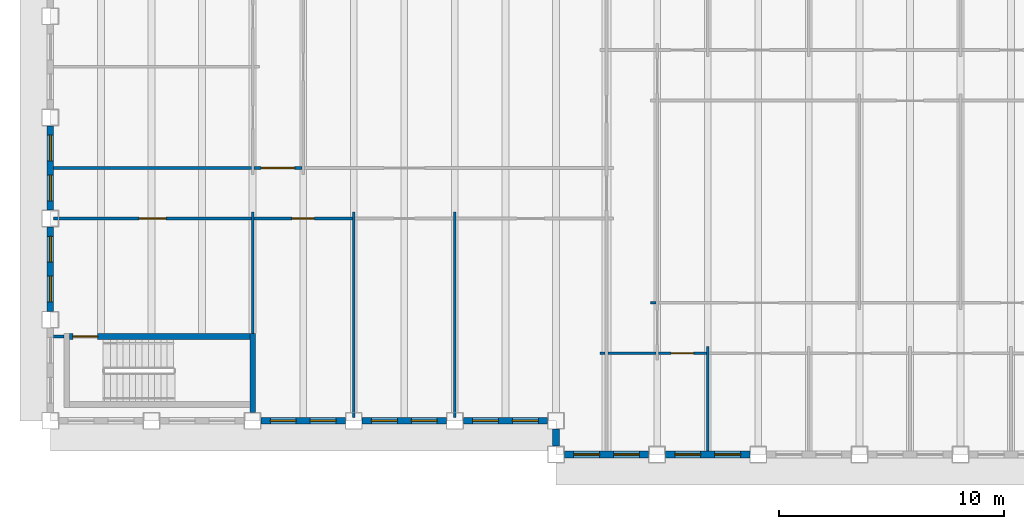
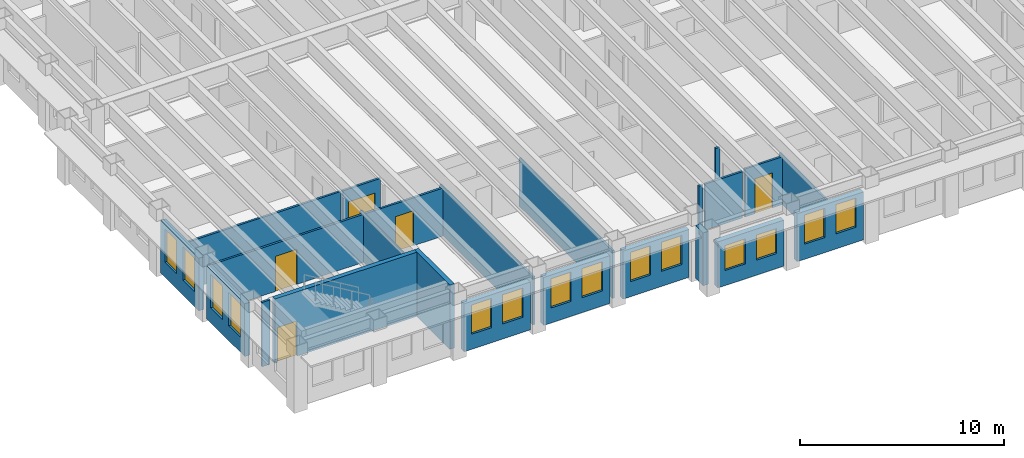
# One storey, part 3 of 17: 23 walls, 14 windows, 5 doors, 19 openings.
"""IFC4 building model written with IfcOpenShell, lengths in metres."""

from ifc_helpers import new_model, si_unit, direction, frame, frame_2d, origin, place, context, subcontext, project, spatial, rectangle, extrude, material, layer, layer_set, type_object, element, fill, save


model = new_model("IFC4")

# Units and contexts
model_context = context("Model", 3, precision=1e-05, world=origin(), true_north=direction((0.0, 1.0)))
body_context = subcontext(model_context, "Body", "Model", "MODEL_VIEW")
ifc_project = project(units=[si_unit("LENGTHUNIT", "METRE"), si_unit("AREAUNIT", "SQUARE_METRE"), si_unit("VOLUMEUNIT", "CUBIC_METRE"), si_unit("PLANEANGLEUNIT", "RADIAN"), si_unit("MASSUNIT", "GRAM", prefix="KILO")], contexts=[model_context])

# Site, building, storey
site_placement = place(None, origin())
site = spatial("IfcSite", under=ifc_project, at=site_placement, CompositionType="ELEMENT")
building_placement = place(site_placement, origin())
building = spatial("IfcBuilding", under=site, at=building_placement, Name="Sennacour Bend Tower", CompositionType="ELEMENT")
storey_placement = place(building_placement, frame((0.0, 0.0, 199.0)))
storey = spatial("IfcBuildingStorey", under=building, at=storey_placement, Name="L45", CompositionType="ELEMENT", Elevation=199.0)

# Walls
ifc_material_1 = material(Name="Plasterboard partition on steel studs", Category="steel")
ifc_layer_1 = layer(ifc_material_1, 0.1201171875, Name="Plasterboard partition on steel studs", Category="steel")
ifc_layer_set_1 = layer_set([ifc_layer_1], Name="Plasterboard partition on steel studs")
wall_type_1 = type_object("IfcWallType", Name="Partition 120", PredefinedType="PARTITIONING", material=ifc_layer_set_1)
wall_1_placement = place(storey_placement, frame((9.0, 3.875, 0.0), z_axis=(0.0, 0.0, 1.0), x_axis=(0.0, 1.0, 0.0)))
element("IfcWall", 1, at=wall_1_placement, inside=storey, type_object=wall_type_1, Name="P-L45-W012a", PredefinedType="PARTITIONING", context=body_context, shape_type="SweptSolid", body=[
    extrude(rectangle(XDim=5.425048828125, YDim=0.1201171875, at=frame_2d((2.71240234375, 0.0))), origin(), (0.0, 0.0, 1.0), 2.8701171875),
])
for number, where, z_axis, x_axis, name in (
    (2, (13.5, 0.14990234375, 0.0), (0.0, 0.0, 1.0), (0.0, 1.0, 0.0), "P-L45-W019a"),
    (3, (18.0, 0.14990234375, 0.0), (0.0, 0.0, 1.0), (0.0, 1.0, 0.0), "P-L45-W022a"),
):
    element("IfcWall", number, at=place(storey_placement, frame(where, z_axis=z_axis, x_axis=x_axis)), inside=storey, type_object=wall_type_1, Name=name, PredefinedType="PARTITIONING", context=body_context, shape_type="SweptSolid", body=[
        extrude(rectangle(XDim=9.150146484375, YDim=0.1201171875, at=frame_2d((4.5751953125, 0.0))), origin(), (0.0, 0.0, 1.0), 2.8701171875),
    ])
wall_2_placement = place(storey_placement, frame((29.25, -1.35009765625, 0.0), z_axis=(0.0, 0.0, 1.0), x_axis=(0.0, 1.0, 0.0)))
element("IfcWall", 4, at=wall_2_placement, inside=storey, type_object=wall_type_1, Name="P-L45-W029a", PredefinedType="PARTITIONING", context=body_context, shape_type="SweptSolid", body=[
    extrude(rectangle(XDim=4.650146484375, YDim=0.1201171875, at=frame_2d((2.3251953125, 0.0))), origin(), (0.0, 0.0, 1.0), 2.8701171875),
])
wall_3_placement = place(storey_placement, frame((24.449951171875, 3.0, 0.0), z_axis=(0.0, 0.0, 1.0), x_axis=(1.0, 0.0, 0.0)))
element("IfcWall", 5, at=wall_3_placement, inside=storey, type_object=wall_type_1, Name="P-L45-W058aa", PredefinedType="PARTITIONING", context=body_context, shape_type="SweptSolid", body=[
    extrude(rectangle(XDim=0.239990234375, YDim=0.1201171875, at=frame_2d((0.1201171875, 0.0))), origin(), (0.0, 0.0, 1.0), 2.760009765625),
])
wall_4_placement = place(storey_placement, frame((24.81005859375, 3.0, 0.0), z_axis=(0.0, 0.0, 1.0), x_axis=(1.0, 0.0, 0.0)))
element("IfcWall", 6, at=wall_4_placement, inside=storey, type_object=wall_type_1, Name="P-L45-W058ab", PredefinedType="PARTITIONING", context=body_context, shape_type="SweptSolid", body=[
    extrude(rectangle(XDim=2.1298828125, YDim=0.1201171875, at=frame_2d((1.06494140625, 0.0))), origin(), (0.0, 0.0, 1.0), 2.760009765625),
])

# Wall, opening, door
wall_5_placement = place(storey_placement, frame((27.06005859375, 3.0, 0.0), z_axis=(0.0, 0.0, 1.0), x_axis=(1.0, 0.0, 0.0)))
wall_5 = element("IfcWall", 7, at=wall_5_placement, inside=storey, type_object=wall_type_1, Name="P-L45-W058ac", PredefinedType="PARTITIONING", context=body_context, shape_type="SweptSolid", body=[
    extrude(rectangle(XDim=2.1298828125, YDim=0.1201171875, at=frame_2d((1.06494140625, 0.0))), origin(), (0.0, 0.0, 1.0), 2.8701171875),
])
opening_1_placement = place(wall_5_placement, frame((0.56494140625, 0.0, 0.0)))
opening_1 = element("IfcOpeningElement", 8, at=opening_1_placement, cuts=wall_5, Name="Opening OD2", PredefinedType="OPENING", context=body_context, shape_type="SweptSolid", body=[
    extrude(rectangle(XDim=1.0, YDim=2.10009765625, at=frame_2d((0.5, 1.050048828125))), frame((0.0, 0.070068359375, 0.0), z_axis=(0.0, -1.0, 0.0), x_axis=(1.0, 0.0, 0.0)), (0.0, 0.0, 1.0), 0.14013671875),
])
ifc_material_2 = material(Name="Timber", Category="wood")
door_type_1 = type_object("IfcDoorType", Name="DR-OFFICE-1000", OperationType="NOTDEFINED", PredefinedType="DOOR", material=ifc_material_2)
door_1_placement = place(opening_1_placement, origin())
door_1 = element("IfcDoor", 9, at=door_1_placement, inside=storey, type_object=door_type_1, Name="Door", OperationType="SINGLE_SWING_LEFT", OverallHeight=2.10009765625, OverallWidth=1.0, PredefinedType="DOOR", context=body_context, shape_type="SweptSolid", body=[
    extrude(rectangle(XDim=1.0, YDim=2.10009765625, at=frame_2d((0.5, 1.050048828125))), frame((0.0, 0.02490234375, 0.0), z_axis=(0.0, -1.0, 0.0), x_axis=(1.0, 0.0, 0.0)), (0.0, 0.0, 1.0), 0.050048828125),
])
fill(opening_1, door_1)

# Walls
wall_6_placement = place(storey_placement, frame((0.14990234375, 3.75, 0.0), z_axis=(0.0, 0.0, 1.0), x_axis=(1.0, 0.0, 0.0)))
element("IfcWall", 10, at=wall_6_placement, inside=storey, type_object=wall_type_1, Name="P-L45-W059a", PredefinedType="PARTITIONING", context=body_context, shape_type="SweptSolid", body=[
    extrude(rectangle(XDim=0.4501953125, YDim=0.1201171875, at=frame_2d((0.22509765625, 0.0))), origin(), (0.0, 0.0, 1.0), 3.85009765625),
])
wall_7_placement = place(storey_placement, frame((26.699951171875, 5.25, 0.0), z_axis=(0.0, 0.0, 1.0), x_axis=(1.0, 0.0, 0.0)))
element("IfcWall", 11, at=wall_7_placement, inside=storey, type_object=wall_type_1, Name="P-L45-W063aa", PredefinedType="PARTITIONING", context=body_context, shape_type="SweptSolid", body=[
    extrude(rectangle(XDim=0.239990234375, YDim=0.1201171875, at=frame_2d((0.1201171875, 0.0))), origin(), (0.0, 0.0, 1.0), 2.8701171875),
])

# Wall, opening, door
wall_8_placement = place(storey_placement, frame((9.06005859375, 9.0, 0.0), z_axis=(0.0, 0.0, 1.0), x_axis=(1.0, 0.0, 0.0)))
wall_8 = element("IfcWall", 12, at=wall_8_placement, inside=storey, type_object=wall_type_1, Name="P-L45-W066ab", PredefinedType="PARTITIONING", context=body_context, shape_type="SweptSolid", body=[
    extrude(rectangle(XDim=4.3798828125, YDim=0.1201171875, at=frame_2d((2.18994140625, 0.0))), origin(), (0.0, 0.0, 1.0), 2.8701171875),
])
opening_2_placement = place(wall_8_placement, frame((1.68994140625, 0.0, 0.0)))
opening_2 = element("IfcOpeningElement", 13, at=opening_2_placement, cuts=wall_8, Name="Opening OD2", PredefinedType="OPENING", context=body_context, shape_type="SweptSolid", body=[
    extrude(rectangle(XDim=1.0, YDim=2.10009765625, at=frame_2d((0.5, 1.050048828125))), frame((0.0, 0.070068359375, 0.0), z_axis=(0.0, -1.0, 0.0), x_axis=(1.0, 0.0, 0.0)), (0.0, 0.0, 1.0), 0.14013671875),
])
door_2_placement = place(opening_2_placement, origin())
door_2 = element("IfcDoor", 14, at=door_2_placement, inside=storey, type_object=door_type_1, Name="Door", OperationType="SINGLE_SWING_LEFT", OverallHeight=2.10009765625, OverallWidth=1.0, PredefinedType="DOOR", context=body_context, shape_type="SweptSolid", body=[
    extrude(rectangle(XDim=1.0, YDim=2.10009765625, at=frame_2d((0.5, 1.050048828125))), frame((0.0, 0.02490234375, 0.0), z_axis=(0.0, -1.0, 0.0), x_axis=(1.0, 0.0, 0.0)), (0.0, 0.0, 1.0), 0.050048828125),
])
fill(opening_2, door_2)

# Wall
wall_9_placement = place(storey_placement, frame((0.14990234375, 11.25, 0.0), z_axis=(0.0, 0.0, 1.0), x_axis=(1.0, 0.0, 0.0)))
element("IfcWall", 15, at=wall_9_placement, inside=storey, type_object=wall_type_1, Name="P-L45-W069aa", PredefinedType="PARTITIONING", context=body_context, shape_type="SweptSolid", body=[
    extrude(rectangle(XDim=8.7900390625, YDim=0.1201171875, at=frame_2d((4.39501953125, 0.0))), origin(), (0.0, 0.0, 1.0), 2.8701171875),
])

# Wall, opening, door
ifc_layer_2 = layer(ifc_material_1, 0.1201171875, Name="Plasterboard partition on steel studs", Category="steel")
ifc_layer_set_2 = layer_set([ifc_layer_2], Name="Plasterboard partition on steel studs")
wall_type_2 = type_object("IfcWallType", Name="Partition 120 EI 30", PredefinedType="PARTITIONING", material=ifc_layer_set_2)
wall_10_placement = place(storey_placement, frame((0.14990234375, 9.0, 0.0), z_axis=(0.0, 0.0, 1.0), x_axis=(1.0, 0.0, 0.0)))
wall_10 = element("IfcWall", 16, at=wall_10_placement, inside=storey, type_object=wall_type_2, Name="P-L45-W066aa", PredefinedType="PARTITIONING", context=body_context, shape_type="SweptSolid", body=[
    extrude(rectangle(XDim=8.7900390625, YDim=0.1201171875, at=frame_2d((4.39501953125, 0.0))), origin(), (0.0, 0.0, 1.0), 2.8701171875),
])
opening_3_placement = place(wall_10_placement, frame((3.80517578125, 0.0, 0.0)))
opening_3 = element("IfcOpeningElement", 17, at=opening_3_placement, cuts=wall_10, Name="Opening KD2", PredefinedType="OPENING", context=body_context, shape_type="SweptSolid", body=[
    extrude(rectangle(XDim=1.199951171875, YDim=2.10009765625, at=frame_2d((0.60009765625, 1.050048828125))), frame((0.0, 0.070068359375, 0.0), z_axis=(0.0, -1.0, 0.0), x_axis=(1.0, 0.0, 0.0)), (0.0, 0.0, 1.0), 0.14013671875),
])
ifc_material_3 = material(Name="Painted steel", Category="steel")
door_type_2 = type_object("IfcDoorType", Name="DR-CORRIDOR-1200", OperationType="NOTDEFINED", PredefinedType="DOOR", material=ifc_material_3)
door_3_placement = place(opening_3_placement, origin())
door_3 = element("IfcDoor", 18, at=door_3_placement, inside=storey, type_object=door_type_2, Name="Door", OperationType="SINGLE_SWING_LEFT", OverallHeight=2.10009765625, OverallWidth=1.199951171875, PredefinedType="DOOR", context=body_context, shape_type="SweptSolid", body=[
    extrude(rectangle(XDim=1.199951171875, YDim=2.10009765625, at=frame_2d((0.60009765625, 1.050048828125))), frame((0.0, 0.02490234375, 0.0), z_axis=(0.0, -1.0, 0.0), x_axis=(1.0, 0.0, 0.0)), (0.0, 0.0, 1.0), 0.050048828125),
])
fill(opening_3, door_3)

wall_11_placement = place(storey_placement, frame((9.06005859375, 11.25, 0.0), z_axis=(0.0, 0.0, 1.0), x_axis=(1.0, 0.0, 0.0)))
wall_11 = element("IfcWall", 19, at=wall_11_placement, inside=storey, type_object=wall_type_2, Name="P-L45-W069ab", PredefinedType="PARTITIONING", context=body_context, shape_type="SweptSolid", body=[
    extrude(rectangle(XDim=2.1298828125, YDim=0.1201171875, at=frame_2d((1.06494140625, 0.0))), origin(), (0.0, 0.0, 1.0), 2.8701171875),
])
opening_4_placement = place(wall_11_placement, frame((0.31494140625, 0.0, 0.0)))
opening_4 = element("IfcOpeningElement", 20, at=opening_4_placement, cuts=wall_11, Name="Opening KD", PredefinedType="OPENING", context=body_context, shape_type="SweptSolid", body=[
    extrude(rectangle(XDim=1.5, YDim=2.10009765625, at=frame_2d((0.75, 1.050048828125))), frame((0.0, 0.070068359375, 0.0), z_axis=(0.0, -1.0, 0.0), x_axis=(1.0, 0.0, 0.0)), (0.0, 0.0, 1.0), 0.14013671875),
])
door_type_3 = type_object("IfcDoorType", Name="DR-CORRIDOR-1500", OperationType="NOTDEFINED", PredefinedType="DOOR", material=ifc_material_3)
door_4_placement = place(opening_4_placement, origin())
door_4 = element("IfcDoor", 21, at=door_4_placement, inside=storey, type_object=door_type_3, Name="Door", OperationType="SINGLE_SWING_LEFT", OverallHeight=2.10009765625, OverallWidth=1.5, PredefinedType="DOOR", context=body_context, shape_type="SweptSolid", body=[
    extrude(rectangle(XDim=1.5, YDim=2.10009765625, at=frame_2d((0.75, 1.050048828125))), frame((0.0, 0.02490234375, 0.0), z_axis=(0.0, -1.0, 0.0), x_axis=(1.0, 0.0, 0.0)), (0.0, 0.0, 1.0), 0.050048828125),
])
fill(opening_4, door_4)

# Wall, openings, windows
ifc_material_4 = material(Name="Warm limestone cladding", Category="masonry")
ifc_layer_3 = layer(ifc_material_4, 0.050048828125, Name="Warm limestone cladding", Category="masonry")
ifc_material_5 = material(Name="Precast concrete C40/50", Category="concrete")
ifc_layer_4 = layer(ifc_material_5, 0.25, Name="Precast concrete C40/50", Category="concrete")
ifc_layer_set_3 = layer_set([ifc_layer_3, ifc_layer_4], Name="Precast concrete C40/50 with limestone cladding")
wall_type_3 = type_object("IfcWallType", Name="STONE-CLAD PRECAST SPANDREL 300", PredefinedType="STANDARD", material=ifc_layer_set_3)
wall_12_placement = place(storey_placement, frame((22.875, -1.5, 0.0), z_axis=(0.0, 0.0, 1.0), x_axis=(1.0, 0.0, 0.0)))
wall_12 = element("IfcWall", 22, at=wall_12_placement, inside=storey, type_object=wall_type_3, Name="Stone spandrel and pier wall L45 00.00", PredefinedType="STANDARD", context=body_context, shape_type="SweptSolid", body=[
    extrude(rectangle(XDim=3.75, YDim=0.300048828125, at=frame_2d((1.875, 0.0))), origin(), (0.0, 0.0, 1.0), 2.760009765625),
])
opening_5_placement = place(wall_12_placement, frame((0.41259765625, 0.0, 0.89990234375)))
opening_5 = element("IfcOpeningElement", 23, at=opening_5_placement, cuts=wall_12, Name="Opening W22", PredefinedType="OPENING", context=body_context, shape_type="SweptSolid", body=[
    extrude(rectangle(XDim=1.14990234375, YDim=1.5, at=frame_2d((0.574951171875, 0.75))), frame((0.0, 0.16015625, 0.0), z_axis=(0.0, -1.0, 0.0), x_axis=(1.0, 0.0, 0.0)), (0.0, 0.0, 1.0), 0.320068359375),
])
opening_6_placement = place(wall_12_placement, frame((2.1875, 0.0, 0.89990234375)))
opening_6 = element("IfcOpeningElement", 24, at=opening_6_placement, cuts=wall_12, Name="Opening W22", PredefinedType="OPENING", context=body_context, shape_type="SweptSolid", body=[
    extrude(rectangle(XDim=1.14990234375, YDim=1.5, at=frame_2d((0.574951171875, 0.75))), frame((0.0, 0.16015625, 0.0), z_axis=(0.0, -1.0, 0.0), x_axis=(1.0, 0.0, 0.0)), (0.0, 0.0, 1.0), 0.320068359375),
])
ifc_material_6 = material(Name="Clear low-emissivity glass", Category="glass")
window_type_1 = type_object("IfcWindowType", Name="WIN-RIBBON-1150x1500", PartitioningType="SINGLE_PANEL", PredefinedType="WINDOW", material=ifc_material_6)
window_1_placement = place(opening_5_placement, origin())
window_1 = element("IfcWindow", 25, at=window_1_placement, inside=storey, type_object=window_type_1, Name="Ribbon window L45 00.00.0", OverallHeight=1.5, OverallWidth=1.14990234375, PartitioningType="SINGLE_PANEL", PredefinedType="WINDOW", context=body_context, shape_type="SweptSolid", body=[
    extrude(rectangle(XDim=1.14990234375, YDim=1.5, at=frame_2d((0.574951171875, 0.75))), frame((0.0, 0.030029296875, 0.0), z_axis=(0.0, -1.0, 0.0), x_axis=(1.0, 0.0, 0.0)), (0.0, 0.0, 1.0), 0.06005859375),
])
fill(opening_5, window_1)
window_2_placement = place(opening_6_placement, origin())
window_2 = element("IfcWindow", 26, at=window_2_placement, inside=storey, type_object=window_type_1, Name="Ribbon window L45 00.00.1", OverallHeight=1.5, OverallWidth=1.14990234375, PartitioningType="SINGLE_PANEL", PredefinedType="WINDOW", context=body_context, shape_type="SweptSolid", body=[
    extrude(rectangle(XDim=1.14990234375, YDim=1.5, at=frame_2d((0.574951171875, 0.75))), frame((0.0, 0.030029296875, 0.0), z_axis=(0.0, -1.0, 0.0), x_axis=(1.0, 0.0, 0.0)), (0.0, 0.0, 1.0), 0.06005859375),
])
fill(opening_6, window_2)

wall_13_placement = place(storey_placement, frame((27.375, -1.5, 0.0), z_axis=(0.0, 0.0, 1.0), x_axis=(1.0, 0.0, 0.0)))
wall_13 = element("IfcWall", 27, at=wall_13_placement, inside=storey, type_object=wall_type_3, Name="Stone spandrel and pier wall L45 00.01", PredefinedType="STANDARD", context=body_context, shape_type="SweptSolid", body=[
    extrude(rectangle(XDim=3.75, YDim=0.300048828125, at=frame_2d((1.875, 0.0))), origin(), (0.0, 0.0, 1.0), 2.8701171875),
])
opening_7_placement = place(wall_13_placement, frame((0.41259765625, 0.0, 0.89990234375)))
opening_7 = element("IfcOpeningElement", 28, at=opening_7_placement, cuts=wall_13, Name="Opening W23", PredefinedType="OPENING", context=body_context, shape_type="SweptSolid", body=[
    extrude(rectangle(XDim=1.14990234375, YDim=1.75, at=frame_2d((0.574951171875, 0.875))), frame((0.0, 0.16015625, 0.0), z_axis=(0.0, -1.0, 0.0), x_axis=(1.0, 0.0, 0.0)), (0.0, 0.0, 1.0), 0.320068359375),
])
opening_8_placement = place(wall_13_placement, frame((2.1875, 0.0, 0.89990234375)))
opening_8 = element("IfcOpeningElement", 29, at=opening_8_placement, cuts=wall_13, Name="Opening W23", PredefinedType="OPENING", context=body_context, shape_type="SweptSolid", body=[
    extrude(rectangle(XDim=1.14990234375, YDim=1.75, at=frame_2d((0.574951171875, 0.875))), frame((0.0, 0.16015625, 0.0), z_axis=(0.0, -1.0, 0.0), x_axis=(1.0, 0.0, 0.0)), (0.0, 0.0, 1.0), 0.320068359375),
])
window_type_2 = type_object("IfcWindowType", Name="WIN-RIBBON-1150x1750", PartitioningType="SINGLE_PANEL", PredefinedType="WINDOW", material=ifc_material_6)
window_3_placement = place(opening_7_placement, origin())
window_3 = element("IfcWindow", 30, at=window_3_placement, inside=storey, type_object=window_type_2, Name="Ribbon window L45 00.01.0", OverallHeight=1.75, OverallWidth=1.14990234375, PartitioningType="SINGLE_PANEL", PredefinedType="WINDOW", context=body_context, shape_type="SweptSolid", body=[
    extrude(rectangle(XDim=1.14990234375, YDim=1.75, at=frame_2d((0.574951171875, 0.875))), frame((0.0, 0.030029296875, 0.0), z_axis=(0.0, -1.0, 0.0), x_axis=(1.0, 0.0, 0.0)), (0.0, 0.0, 1.0), 0.06005859375),
])
fill(opening_7, window_3)
window_4_placement = place(opening_8_placement, origin())
window_4 = element("IfcWindow", 31, at=window_4_placement, inside=storey, type_object=window_type_2, Name="Ribbon window L45 00.01.1", OverallHeight=1.75, OverallWidth=1.14990234375, PartitioningType="SINGLE_PANEL", PredefinedType="WINDOW", context=body_context, shape_type="SweptSolid", body=[
    extrude(rectangle(XDim=1.14990234375, YDim=1.75, at=frame_2d((0.574951171875, 0.875))), frame((0.0, 0.030029296875, 0.0), z_axis=(0.0, -1.0, 0.0), x_axis=(1.0, 0.0, 0.0)), (0.0, 0.0, 1.0), 0.06005859375),
])
fill(opening_8, window_4)

wall_14_placement = place(storey_placement, frame((0.0, 13.125, 0.0), z_axis=(0.0, 0.0, 1.0), x_axis=(0.0, -1.0, 0.0)))
wall_14 = element("IfcWall", 32, at=wall_14_placement, inside=storey, type_object=wall_type_3, Name="Stone spandrel and pier wall L45 21.02", PredefinedType="STANDARD", context=body_context, shape_type="SweptSolid", body=[
    extrude(rectangle(XDim=3.75, YDim=0.300048828125, at=frame_2d((1.875, 0.0))), origin(), (0.0, 0.0, 1.0), 3.156982421875),
])
opening_9_placement = place(wall_14_placement, frame((0.41259765625, 0.0, 0.89990234375)))
opening_9 = element("IfcOpeningElement", 33, at=opening_9_placement, cuts=wall_14, Name="Opening W24", PredefinedType="OPENING", context=body_context, shape_type="SweptSolid", body=[
    extrude(rectangle(XDim=1.14990234375, YDim=2.0, at=frame_2d((0.574951171875, 1.0))), frame((0.0, 0.16015625, 0.0), z_axis=(0.0, -1.0, 0.0), x_axis=(1.0, 0.0, 0.0)), (0.0, 0.0, 1.0), 0.320068359375),
])
opening_10_placement = place(wall_14_placement, frame((2.1875, 0.0, 0.89990234375)))
opening_10 = element("IfcOpeningElement", 34, at=opening_10_placement, cuts=wall_14, Name="Opening W24", PredefinedType="OPENING", context=body_context, shape_type="SweptSolid", body=[
    extrude(rectangle(XDim=1.14990234375, YDim=2.0, at=frame_2d((0.574951171875, 1.0))), frame((0.0, 0.16015625, 0.0), z_axis=(0.0, -1.0, 0.0), x_axis=(1.0, 0.0, 0.0)), (0.0, 0.0, 1.0), 0.320068359375),
])
window_type_3 = type_object("IfcWindowType", Name="WIN-RIBBON-1150x2000", PartitioningType="SINGLE_PANEL", PredefinedType="WINDOW", material=ifc_material_6)
window_5_placement = place(opening_9_placement, origin())
window_5 = element("IfcWindow", 35, at=window_5_placement, inside=storey, type_object=window_type_3, Name="Ribbon window L45 21.02.0", OverallHeight=2.0, OverallWidth=1.14990234375, PartitioningType="SINGLE_PANEL", PredefinedType="WINDOW", context=body_context, shape_type="SweptSolid", body=[
    extrude(rectangle(XDim=1.14990234375, YDim=2.0, at=frame_2d((0.574951171875, 1.0))), frame((0.0, 0.030029296875, 0.0), z_axis=(0.0, -1.0, 0.0), x_axis=(1.0, 0.0, 0.0)), (0.0, 0.0, 1.0), 0.06005859375),
])
fill(opening_9, window_5)
window_6_placement = place(opening_10_placement, origin())
window_6 = element("IfcWindow", 36, at=window_6_placement, inside=storey, type_object=window_type_3, Name="Ribbon window L45 21.02.1", OverallHeight=2.0, OverallWidth=1.14990234375, PartitioningType="SINGLE_PANEL", PredefinedType="WINDOW", context=body_context, shape_type="SweptSolid", body=[
    extrude(rectangle(XDim=1.14990234375, YDim=2.0, at=frame_2d((0.574951171875, 1.0))), frame((0.0, 0.030029296875, 0.0), z_axis=(0.0, -1.0, 0.0), x_axis=(1.0, 0.0, 0.0)), (0.0, 0.0, 1.0), 0.06005859375),
])
fill(opening_10, window_6)

wall_15_placement = place(storey_placement, frame((0.0, 8.625, 0.0), z_axis=(0.0, 0.0, 1.0), x_axis=(0.0, -1.0, 0.0)))
wall_15 = element("IfcWall", 37, at=wall_15_placement, inside=storey, type_object=wall_type_3, Name="Stone spandrel and pier wall L45 21.03", PredefinedType="STANDARD", context=body_context, shape_type="SweptSolid", body=[
    extrude(rectangle(XDim=3.75, YDim=0.300048828125, at=frame_2d((1.875, 0.0))), origin(), (0.0, 0.0, 1.0), 3.156982421875),
])
opening_11_placement = place(wall_15_placement, frame((0.41259765625, 0.0, 0.89990234375)))
opening_11 = element("IfcOpeningElement", 38, at=opening_11_placement, cuts=wall_15, Name="Opening W24", PredefinedType="OPENING", context=body_context, shape_type="SweptSolid", body=[
    extrude(rectangle(XDim=1.14990234375, YDim=2.0, at=frame_2d((0.574951171875, 1.0))), frame((0.0, 0.16015625, 0.0), z_axis=(0.0, -1.0, 0.0), x_axis=(1.0, 0.0, 0.0)), (0.0, 0.0, 1.0), 0.320068359375),
])
opening_12_placement = place(wall_15_placement, frame((2.1875, 0.0, 0.89990234375)))
opening_12 = element("IfcOpeningElement", 39, at=opening_12_placement, cuts=wall_15, Name="Opening W24", PredefinedType="OPENING", context=body_context, shape_type="SweptSolid", body=[
    extrude(rectangle(XDim=1.14990234375, YDim=2.0, at=frame_2d((0.574951171875, 1.0))), frame((0.0, 0.16015625, 0.0), z_axis=(0.0, -1.0, 0.0), x_axis=(1.0, 0.0, 0.0)), (0.0, 0.0, 1.0), 0.320068359375),
])
window_7_placement = place(opening_11_placement, origin())
window_7 = element("IfcWindow", 40, at=window_7_placement, inside=storey, type_object=window_type_3, Name="Ribbon window L45 21.03.0", OverallHeight=2.0, OverallWidth=1.14990234375, PartitioningType="SINGLE_PANEL", PredefinedType="WINDOW", context=body_context, shape_type="SweptSolid", body=[
    extrude(rectangle(XDim=1.14990234375, YDim=2.0, at=frame_2d((0.574951171875, 1.0))), frame((0.0, 0.030029296875, 0.0), z_axis=(0.0, -1.0, 0.0), x_axis=(1.0, 0.0, 0.0)), (0.0, 0.0, 1.0), 0.06005859375),
])
fill(opening_11, window_7)
window_8_placement = place(opening_12_placement, origin())
window_8 = element("IfcWindow", 41, at=window_8_placement, inside=storey, type_object=window_type_3, Name="Ribbon window L45 21.03.1", OverallHeight=2.0, OverallWidth=1.14990234375, PartitioningType="SINGLE_PANEL", PredefinedType="WINDOW", context=body_context, shape_type="SweptSolid", body=[
    extrude(rectangle(XDim=1.14990234375, YDim=2.0, at=frame_2d((0.574951171875, 1.0))), frame((0.0, 0.030029296875, 0.0), z_axis=(0.0, -1.0, 0.0), x_axis=(1.0, 0.0, 0.0)), (0.0, 0.0, 1.0), 0.06005859375),
])
fill(opening_12, window_8)

wall_16_placement = place(storey_placement, frame((9.375, 0.0, 0.0), z_axis=(0.0, 0.0, 1.0), x_axis=(1.0, 0.0, 0.0)))
wall_16 = element("IfcWall", 42, at=wall_16_placement, inside=storey, type_object=wall_type_3, Name="Stone spandrel and pier wall L45 22.02", PredefinedType="STANDARD", context=body_context, shape_type="SweptSolid", body=[
    extrude(rectangle(XDim=3.75, YDim=0.300048828125, at=frame_2d((1.875, 0.0))), origin(), (0.0, 0.0, 1.0), 2.8701171875),
])
opening_13_placement = place(wall_16_placement, frame((0.41259765625, 0.0, 0.89990234375)))
opening_13 = element("IfcOpeningElement", 43, at=opening_13_placement, cuts=wall_16, Name="Opening W23", PredefinedType="OPENING", context=body_context, shape_type="SweptSolid", body=[
    extrude(rectangle(XDim=1.14990234375, YDim=1.75, at=frame_2d((0.574951171875, 0.875))), frame((0.0, 0.16015625, 0.0), z_axis=(0.0, -1.0, 0.0), x_axis=(1.0, 0.0, 0.0)), (0.0, 0.0, 1.0), 0.320068359375),
])
opening_14_placement = place(wall_16_placement, frame((2.1875, 0.0, 0.89990234375)))
opening_14 = element("IfcOpeningElement", 44, at=opening_14_placement, cuts=wall_16, Name="Opening W23", PredefinedType="OPENING", context=body_context, shape_type="SweptSolid", body=[
    extrude(rectangle(XDim=1.14990234375, YDim=1.75, at=frame_2d((0.574951171875, 0.875))), frame((0.0, 0.16015625, 0.0), z_axis=(0.0, -1.0, 0.0), x_axis=(1.0, 0.0, 0.0)), (0.0, 0.0, 1.0), 0.320068359375),
])
window_9_placement = place(opening_13_placement, origin())
window_9 = element("IfcWindow", 45, at=window_9_placement, inside=storey, type_object=window_type_2, Name="Ribbon window L45 22.02.0", OverallHeight=1.75, OverallWidth=1.14990234375, PartitioningType="SINGLE_PANEL", PredefinedType="WINDOW", context=body_context, shape_type="SweptSolid", body=[
    extrude(rectangle(XDim=1.14990234375, YDim=1.75, at=frame_2d((0.574951171875, 0.875))), frame((0.0, 0.030029296875, 0.0), z_axis=(0.0, -1.0, 0.0), x_axis=(1.0, 0.0, 0.0)), (0.0, 0.0, 1.0), 0.06005859375),
])
fill(opening_13, window_9)
window_10_placement = place(opening_14_placement, origin())
window_10 = element("IfcWindow", 46, at=window_10_placement, inside=storey, type_object=window_type_2, Name="Ribbon window L45 22.02.1", OverallHeight=1.75, OverallWidth=1.14990234375, PartitioningType="SINGLE_PANEL", PredefinedType="WINDOW", context=body_context, shape_type="SweptSolid", body=[
    extrude(rectangle(XDim=1.14990234375, YDim=1.75, at=frame_2d((0.574951171875, 0.875))), frame((0.0, 0.030029296875, 0.0), z_axis=(0.0, -1.0, 0.0), x_axis=(1.0, 0.0, 0.0)), (0.0, 0.0, 1.0), 0.06005859375),
])
fill(opening_14, window_10)

wall_17_placement = place(storey_placement, frame((13.875, 0.0, 0.0), z_axis=(0.0, 0.0, 1.0), x_axis=(1.0, 0.0, 0.0)))
wall_17 = element("IfcWall", 47, at=wall_17_placement, inside=storey, type_object=wall_type_3, Name="Stone spandrel and pier wall L45 22.03", PredefinedType="STANDARD", context=body_context, shape_type="SweptSolid", body=[
    extrude(rectangle(XDim=3.75, YDim=0.300048828125, at=frame_2d((1.875, 0.0))), origin(), (0.0, 0.0, 1.0), 2.8701171875),
])
opening_15_placement = place(wall_17_placement, frame((0.41259765625, 0.0, 0.89990234375)))
opening_15 = element("IfcOpeningElement", 48, at=opening_15_placement, cuts=wall_17, Name="Opening W23", PredefinedType="OPENING", context=body_context, shape_type="SweptSolid", body=[
    extrude(rectangle(XDim=1.14990234375, YDim=1.75, at=frame_2d((0.574951171875, 0.875))), frame((0.0, 0.16015625, 0.0), z_axis=(0.0, -1.0, 0.0), x_axis=(1.0, 0.0, 0.0)), (0.0, 0.0, 1.0), 0.320068359375),
])
opening_16_placement = place(wall_17_placement, frame((2.1875, 0.0, 0.89990234375)))
opening_16 = element("IfcOpeningElement", 49, at=opening_16_placement, cuts=wall_17, Name="Opening W23", PredefinedType="OPENING", context=body_context, shape_type="SweptSolid", body=[
    extrude(rectangle(XDim=1.14990234375, YDim=1.75, at=frame_2d((0.574951171875, 0.875))), frame((0.0, 0.16015625, 0.0), z_axis=(0.0, -1.0, 0.0), x_axis=(1.0, 0.0, 0.0)), (0.0, 0.0, 1.0), 0.320068359375),
])
window_11_placement = place(opening_15_placement, origin())
window_11 = element("IfcWindow", 50, at=window_11_placement, inside=storey, type_object=window_type_2, Name="Ribbon window L45 22.03.0", OverallHeight=1.75, OverallWidth=1.14990234375, PartitioningType="SINGLE_PANEL", PredefinedType="WINDOW", context=body_context, shape_type="SweptSolid", body=[
    extrude(rectangle(XDim=1.14990234375, YDim=1.75, at=frame_2d((0.574951171875, 0.875))), frame((0.0, 0.030029296875, 0.0), z_axis=(0.0, -1.0, 0.0), x_axis=(1.0, 0.0, 0.0)), (0.0, 0.0, 1.0), 0.06005859375),
])
fill(opening_15, window_11)
window_12_placement = place(opening_16_placement, origin())
window_12 = element("IfcWindow", 51, at=window_12_placement, inside=storey, type_object=window_type_2, Name="Ribbon window L45 22.03.1", OverallHeight=1.75, OverallWidth=1.14990234375, PartitioningType="SINGLE_PANEL", PredefinedType="WINDOW", context=body_context, shape_type="SweptSolid", body=[
    extrude(rectangle(XDim=1.14990234375, YDim=1.75, at=frame_2d((0.574951171875, 0.875))), frame((0.0, 0.030029296875, 0.0), z_axis=(0.0, -1.0, 0.0), x_axis=(1.0, 0.0, 0.0)), (0.0, 0.0, 1.0), 0.06005859375),
])
fill(opening_16, window_12)

wall_18_placement = place(storey_placement, frame((18.375, 0.0, 0.0), z_axis=(0.0, 0.0, 1.0), x_axis=(1.0, 0.0, 0.0)))
wall_18 = element("IfcWall", 52, at=wall_18_placement, inside=storey, type_object=wall_type_3, Name="Stone spandrel and pier wall L45 22.04", PredefinedType="STANDARD", context=body_context, shape_type="SweptSolid", body=[
    extrude(rectangle(XDim=3.75, YDim=0.300048828125, at=frame_2d((1.875, 0.0))), origin(), (0.0, 0.0, 1.0), 2.8701171875),
])
opening_17_placement = place(wall_18_placement, frame((0.41259765625, 0.0, 0.89990234375)))
opening_17 = element("IfcOpeningElement", 53, at=opening_17_placement, cuts=wall_18, Name="Opening W23", PredefinedType="OPENING", context=body_context, shape_type="SweptSolid", body=[
    extrude(rectangle(XDim=1.14990234375, YDim=1.75, at=frame_2d((0.574951171875, 0.875))), frame((0.0, 0.16015625, 0.0), z_axis=(0.0, -1.0, 0.0), x_axis=(1.0, 0.0, 0.0)), (0.0, 0.0, 1.0), 0.320068359375),
])
opening_18_placement = place(wall_18_placement, frame((2.1875, 0.0, 0.89990234375)))
opening_18 = element("IfcOpeningElement", 54, at=opening_18_placement, cuts=wall_18, Name="Opening W23", PredefinedType="OPENING", context=body_context, shape_type="SweptSolid", body=[
    extrude(rectangle(XDim=1.14990234375, YDim=1.75, at=frame_2d((0.574951171875, 0.875))), frame((0.0, 0.16015625, 0.0), z_axis=(0.0, -1.0, 0.0), x_axis=(1.0, 0.0, 0.0)), (0.0, 0.0, 1.0), 0.320068359375),
])
window_13_placement = place(opening_17_placement, origin())
window_13 = element("IfcWindow", 55, at=window_13_placement, inside=storey, type_object=window_type_2, Name="Ribbon window L45 22.04.0", OverallHeight=1.75, OverallWidth=1.14990234375, PartitioningType="SINGLE_PANEL", PredefinedType="WINDOW", context=body_context, shape_type="SweptSolid", body=[
    extrude(rectangle(XDim=1.14990234375, YDim=1.75, at=frame_2d((0.574951171875, 0.875))), frame((0.0, 0.030029296875, 0.0), z_axis=(0.0, -1.0, 0.0), x_axis=(1.0, 0.0, 0.0)), (0.0, 0.0, 1.0), 0.06005859375),
])
fill(opening_17, window_13)
window_14_placement = place(opening_18_placement, origin())
window_14 = element("IfcWindow", 56, at=window_14_placement, inside=storey, type_object=window_type_2, Name="Ribbon window L45 22.04.1", OverallHeight=1.75, OverallWidth=1.14990234375, PartitioningType="SINGLE_PANEL", PredefinedType="WINDOW", context=body_context, shape_type="SweptSolid", body=[
    extrude(rectangle(XDim=1.14990234375, YDim=1.75, at=frame_2d((0.574951171875, 0.875))), frame((0.0, 0.030029296875, 0.0), z_axis=(0.0, -1.0, 0.0), x_axis=(1.0, 0.0, 0.0)), (0.0, 0.0, 1.0), 0.06005859375),
])
fill(opening_18, window_14)

# Walls
wall_19_placement = place(storey_placement, frame((22.5, -0.375, 0.0), z_axis=(0.0, 0.0, 1.0), x_axis=(0.0, -1.0, 0.0)))
element("IfcWall", 57, at=wall_19_placement, inside=storey, type_object=wall_type_3, Name="Stone spandrel and pier wall L45 23.00", PredefinedType="STANDARD", context=body_context, shape_type="SweptSolid", body=[
    extrude(rectangle(XDim=0.75, YDim=0.300048828125, at=frame_2d((0.375, 0.0))), origin(), (0.0, 0.0, 1.0), 3.156982421875),
])
ifc_material_7 = material(Name="Concrete C60/75", Category="concrete")
ifc_layer_5 = layer(ifc_material_7, 0.25, Name="Concrete C60/75", Category="concrete")
ifc_layer_set_4 = layer_set([ifc_layer_5], Name="Concrete C60/75")
wall_type_4 = type_object("IfcWallType", Name="Stair wall 250", PredefinedType="SHEAR", material=ifc_layer_set_4)
wall_20_placement = place(storey_placement, frame((9.0, 0.375, 0.0), z_axis=(0.0, 0.0, 1.0), x_axis=(0.0, 1.0, 0.0)))
element("IfcWall", 58, at=wall_20_placement, inside=storey, type_object=wall_type_4, Name="P-L45-W011", PredefinedType="SHEAR", context=body_context, shape_type="SweptSolid", body=[
    extrude(rectangle(XDim=3.5, YDim=0.25, at=frame_2d((1.75, 0.0))), origin(), (0.0, 0.0, 1.0), 3.85009765625),
])

# Wall, opening, door
wall_21_placement = place(storey_placement, frame((0.85009765625, 3.75, 0.0), z_axis=(0.0, 0.0, 1.0), x_axis=(1.0, 0.0, 0.0)))
wall_21 = element("IfcWall", 59, at=wall_21_placement, inside=storey, type_object=wall_type_4, Name="P-L45-W060", PredefinedType="SHEAR", context=body_context, shape_type="SweptSolid", body=[
    extrude(rectangle(XDim=8.02490234375, YDim=0.25, at=frame_2d((4.012451171875, 0.0))), origin(), (0.0, 0.0, 1.0), 3.85009765625),
])
opening_19_placement = place(wall_21_placement, frame((0.14990234375, 0.0, 0.0)))
opening_19 = element("IfcOpeningElement", 60, at=opening_19_placement, cuts=wall_21, Name="Opening SD", PredefinedType="OPENING", context=body_context, shape_type="SweptSolid", body=[
    extrude(rectangle(XDim=1.10009765625, YDim=2.10009765625, at=frame_2d((0.550048828125, 1.050048828125))), frame((0.0, 0.135009765625, 0.0), z_axis=(0.0, -1.0, 0.0), x_axis=(1.0, 0.0, 0.0)), (0.0, 0.0, 1.0), 0.27001953125),
])
door_type_4 = type_object("IfcDoorType", Name="DR-STAIR-1100", OperationType="NOTDEFINED", PredefinedType="DOOR", material=ifc_material_3)
door_5_placement = place(opening_19_placement, origin())
door_5 = element("IfcDoor", 61, at=door_5_placement, inside=storey, type_object=door_type_4, Name="Door", OperationType="SINGLE_SWING_LEFT", OverallHeight=2.10009765625, OverallWidth=1.10009765625, PredefinedType="DOOR", context=body_context, shape_type="SweptSolid", body=[
    extrude(rectangle(XDim=1.10009765625, YDim=2.10009765625, at=frame_2d((0.550048828125, 1.050048828125))), frame((0.0, 0.02490234375, 0.0), z_axis=(0.0, -1.0, 0.0), x_axis=(1.0, 0.0, 0.0)), (0.0, 0.0, 1.0), 0.050048828125),
])
fill(opening_19, door_5)

save(model, "model.ifc")
